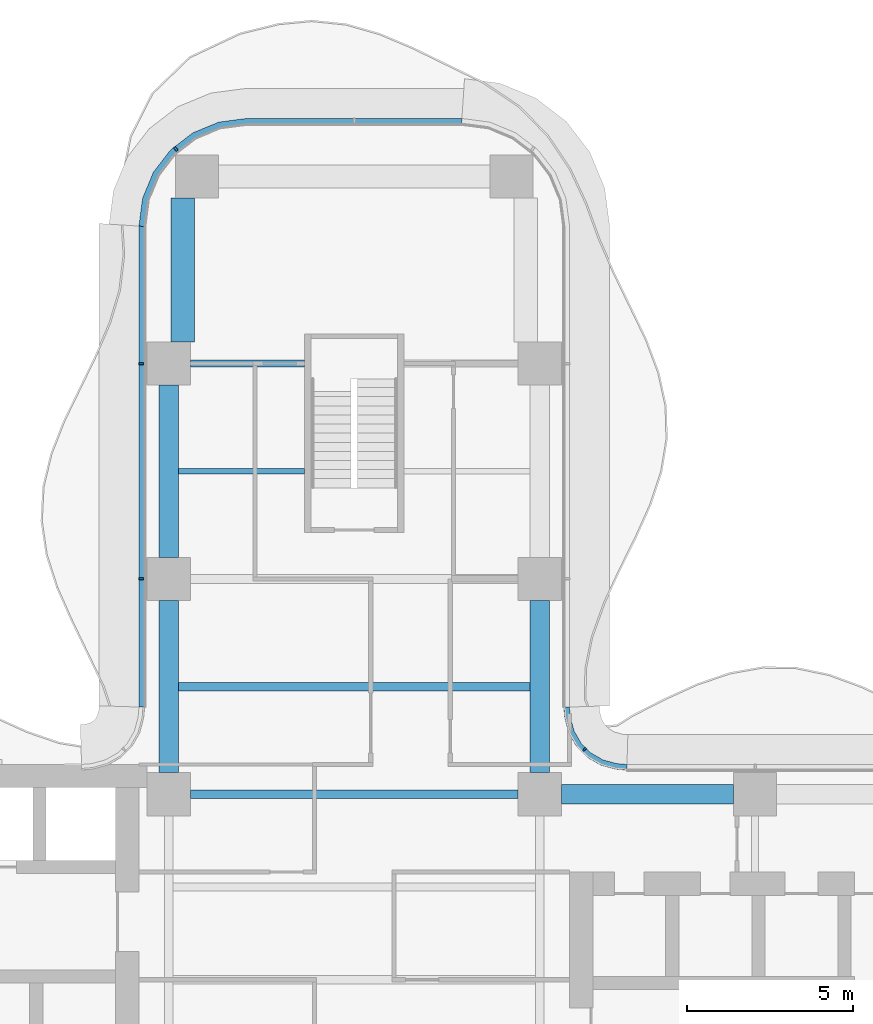
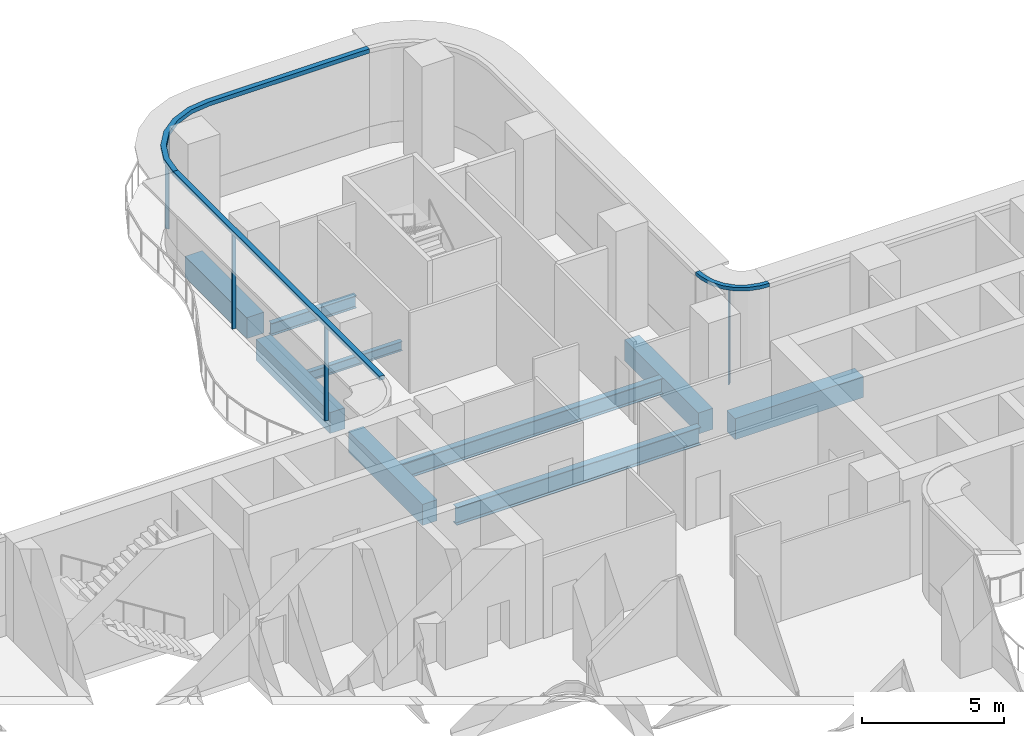
# One storey, part 9 of 21: 9 beams, 7 members, 3 elements without a shape of their own.
"""IFC4 building model written with IfcOpenShell, lengths in metres."""

from ifc_helpers import new_model, si_unit, direction, frame, origin, origin_2d, place, context, subcontext, project, spatial, polyline, rectangle, i_section, outline, extrude, source, transform, mapped, material, layer, layer_set, material_profile, profile_set, type_object, element, aggregate, save


model = new_model("IFC4")

# Units and contexts
model_context = context("Model", 3, precision=1e-05, world=origin(), true_north=direction((0.0, 1.0)))
body_context = subcontext(model_context, "Body", "Model", "MODEL_VIEW")
ifc_project = project(units=[si_unit("LENGTHUNIT", "METRE"), si_unit("AREAUNIT", "SQUARE_METRE"), si_unit("VOLUMEUNIT", "CUBIC_METRE"), si_unit("PLANEANGLEUNIT", "RADIAN"), si_unit("MASSUNIT", "GRAM", prefix="KILO")], contexts=[model_context])

# Site, building, storey
site_placement = place(None, origin())
site = spatial("IfcSite", under=ifc_project, at=site_placement, CompositionType="ELEMENT")
building_placement = place(site_placement, origin())
building = spatial("IfcBuilding", under=site, at=building_placement, Name="Trellis Farm Tower", CompositionType="ELEMENT")
storey_placement = place(building_placement, frame((0.0, 0.0, 102.0)))
storey = spatial("IfcBuildingStorey", under=building, at=storey_placement, Name="L21", CompositionType="ELEMENT", Elevation=102.0)

# Beams
ifc_material_1 = material(Name="Steel S355", Category="steel")
ifc_material_profile_1 = material_profile(ifc_material_1, i_section(OverallWidth=0.177978515625, OverallDepth=0.406494140625, WebThickness=0.0078125, FlangeThickness=0.0126953125, FilletRadius=0.01025390625, at=origin_2d()), Name="UB 406x178x60")
ifc_profile_set_1 = profile_set([ifc_material_profile_1], Name="Steel S355")
beam_type_1 = type_object("IfcBeamType", Name="UB 406x178x60 joist", PredefinedType="JOIST", material=ifc_profile_set_1)
shared_shape_1 = source(origin(), body_context, "Body", "SweptSolid", [
    extrude(i_section(OverallWidth=0.177978515625, OverallDepth=0.406494140625, WebThickness=0.0078125, FlangeThickness=0.0126953125, FilletRadius=0.01025390625, at=origin_2d()), origin(), (0.0, 0.0, 1.0), 3.800048828125),
])
beam_1_placement = place(storey_placement, frame((-5.300048828125, 15.35009765625, -0.453125), z_axis=(1.0, 0.0, 0.0), x_axis=(0.0, 1.0, 0.0)))
element("IfcBeam", 1, at=beam_1_placement, inside=storey, type_object=beam_type_1, Name="Floor beam", PredefinedType="JOIST", context=body_context, shape_type="MappedRepresentation", body=[
    mapped(shared_shape_1, transform((0.0, 0.0, 0.0))),
])
ifc_material_profile_2 = material_profile(ifc_material_1, i_section(OverallWidth=0.253662109375, OverallDepth=0.68359375, WebThickness=0.012451171875, FlangeThickness=0.021728515625, FilletRadius=0.01513671875, at=origin_2d()), Name="UB 686x254x140")
ifc_profile_set_2 = profile_set([ifc_material_profile_2], Name="Steel S355")
beam_type_2 = type_object("IfcBeamType", Name="UB 686x254x140 joist", PredefinedType="JOIST", material=ifc_profile_set_2)
shared_shape_2 = source(origin(), body_context, "Body", "SweptSolid", [
    extrude(i_section(OverallWidth=0.253662109375, OverallDepth=0.68359375, WebThickness=0.012451171875, FlangeThickness=0.021728515625, FilletRadius=0.01513671875, at=origin_2d()), origin(), (0.0, 0.0, 1.0), 10.60009765625),
])
beam_2_placement = place(storey_placement, frame((-5.300048828125, 8.85009765625, -0.591796875), z_axis=(1.0, 0.0, 0.0), x_axis=(0.0, 1.0, 0.0)))
element("IfcBeam", 2, at=beam_2_placement, inside=storey, type_object=beam_type_2, Name="Floor beam", PredefinedType="JOIST", context=body_context, shape_type="MappedRepresentation", body=[
    mapped(shared_shape_2, transform((0.0, 0.0, 0.0))),
])
ifc_material_profile_3 = material_profile(ifc_material_1, i_section(OverallWidth=0.209228515625, OverallDepth=0.533203125, WebThickness=0.010009765625, FlangeThickness=0.015625, FilletRadius=0.0126953125, at=origin_2d()), Name="UB 533x210x92")
ifc_profile_set_3 = profile_set([ifc_material_profile_3], Name="Steel S355")
beam_type_3 = type_object("IfcBeamType", Name="UB 533x210x92", PredefinedType="BEAM", material=ifc_profile_set_3)
shared_shape_3 = source(origin(), body_context, "Body", "SweptSolid", [
    extrude(i_section(OverallWidth=0.209228515625, OverallDepth=0.533203125, WebThickness=0.010009765625, FlangeThickness=0.015625, FilletRadius=0.0126953125, at=origin_2d()), origin(), (0.0, 0.0, 1.0), 3.449951171875),
])
beam_3_placement = place(storey_placement, frame((-4.949951171875, 18.60009765625, -0.5166015625), z_axis=(1.0, 0.0, 0.0), x_axis=(0.0, 1.0, 0.0)))
element("IfcBeam", 3, at=beam_3_placement, inside=storey, type_object=beam_type_3, Name="Girder", PredefinedType="BEAM", context=body_context, shape_type="MappedRepresentation", body=[
    mapped(shared_shape_3, transform((0.0, 0.0, 0.0))),
])
ifc_material_profile_4 = material_profile(ifc_material_1, i_section(OverallWidth=0.2666015625, OverallDepth=0.76220703125, WebThickness=0.014404296875, FlangeThickness=0.021484375, FilletRadius=0.0166015625, at=origin_2d()), Name="UB 762x267x173")
ifc_profile_set_4 = profile_set([ifc_material_profile_4], Name="Steel S355")
beam_type_4 = type_object("IfcBeamType", Name="UB 762x267x173", PredefinedType="BEAM", material=ifc_profile_set_4)
shared_shape_4 = source(origin(), body_context, "Body", "SweptSolid", [
    extrude(i_section(OverallWidth=0.2666015625, OverallDepth=0.76220703125, WebThickness=0.014404296875, FlangeThickness=0.021484375, FilletRadius=0.0166015625, at=origin_2d()), origin(), (0.0, 0.0, 1.0), 9.89990234375),
])
beam_4_placement = place(storey_placement, frame((-4.949951171875, 5.60009765625, -0.631103515625), z_axis=(1.0, 0.0, 0.0), x_axis=(0.0, 1.0, 0.0)))
element("IfcBeam", 4, at=beam_4_placement, inside=storey, type_object=beam_type_4, Name="Girder", PredefinedType="BEAM", context=body_context, shape_type="MappedRepresentation", body=[
    mapped(shared_shape_4, transform((0.0, 0.0, 0.0))),
])
ifc_material_2 = material(Name="Concrete C60/75", Category="concrete")
ifc_material_profile_5 = material_profile(ifc_material_2, rectangle(XDim=0.60009765625, YDim=0.89990234375, at=origin_2d()), Name="RC spandrel beam 600x900 C60/75")
ifc_profile_set_5 = profile_set([ifc_material_profile_5], Name="Concrete C60/75")
beam_type_5 = type_object("IfcBeamType", Name="RC spandrel beam 600x900 C60/75", PredefinedType="SPANDREL", material=ifc_profile_set_5)
shared_shape_5 = source(origin(), body_context, "Body", "SweptSolid", [
    extrude(rectangle(XDim=0.60009765625, YDim=0.89990234375, at=origin_2d()), origin(), (0.0, 0.0, 1.0), 5.199951171875),
])
for number, where, z_axis, x_axis, name in (
    (5, (6.25, 5.60009765625, -0.699951171875), (1.0, 0.0, 0.0), (0.0, 1.0, 0.0), "Girder"),
    (6, (-5.60009765625, 6.25, -0.699951171875), (0.0, 1.0, 0.0), (-1.0, 0.0, 0.0), "Girder"),
    (7, (-5.60009765625, 12.75, -0.699951171875), (0.0, 1.0, 0.0), (-1.0, 0.0, 0.0), "Girder"),
    (8, (5.60009765625, 6.25, -0.699951171875), (0.0, 1.0, 0.0), (-1.0, 0.0, 0.0), "Girder"),
):
    element("IfcBeam", number, at=place(storey_placement, frame(where, z_axis=z_axis, x_axis=x_axis)), inside=storey, type_object=beam_type_5, Name=name, PredefinedType="SPANDREL", context=body_context, shape_type="MappedRepresentation", body=[
        mapped(shared_shape_5, transform((0.0, 0.0, 0.0))),
    ])
ifc_material_profile_6 = material_profile(ifc_material_2, rectangle(XDim=0.699951171875, YDim=0.89990234375, at=origin_2d()), Name="RC spandrel beam 700x900 C60/75")
ifc_profile_set_6 = profile_set([ifc_material_profile_6], Name="Concrete C60/75")
beam_type_6 = type_object("IfcBeamType", Name="RC spandrel beam 700x900 C60/75", PredefinedType="SPANDREL", material=ifc_profile_set_6)
shared_shape_6 = source(origin(), body_context, "Body", "SweptSolid", [
    extrude(rectangle(XDim=0.699951171875, YDim=0.89990234375, at=origin_2d()), origin(), (0.0, 0.0, 1.0), 4.35009765625),
])
beam_5_placement = place(storey_placement, frame((-5.175048828125, 19.25, -0.699951171875), z_axis=(0.0, 1.0, 0.0), x_axis=(-1.0, 0.0, 0.0)))
element("IfcBeam", 9, at=beam_5_placement, inside=storey, type_object=beam_type_6, Name="Girder", PredefinedType="SPANDREL", context=body_context, shape_type="MappedRepresentation", body=[
    mapped(shared_shape_6, transform((0.0, 0.0, 0.0))),
])

# Curtain wall, member
ifc_material_3 = material(Name="Aluminium and glass curtain wall", Category="aluminium")
ifc_layer_1 = layer(ifc_material_3, 0.18994140625)
ifc_layer_set_1 = layer_set([ifc_layer_1], Name="RIBBON CURTAIN WALL CW1")
curtain_wall_type_1 = type_object("IfcCurtainWallType", Name="RIBBON CURTAIN WALL CW1", PredefinedType="NOTDEFINED", material=ifc_layer_set_1)
placement_1 = place(storey_placement, origin())
curtain_wall_1 = element("IfcCurtainWall", 10, at=placement_1, inside=storey, type_object=curtain_wall_type_1, Name="CW1 010", PredefinedType="NOTDEFINED")
ifc_material_4 = material(Name="Aluminium extrusion 6063-T6", Category="aluminium")
ifc_material_profile_7 = material_profile(ifc_material_4, rectangle(XDim=0.06005859375, YDim=0.14990234375, at=origin_2d()), Name="MULLION 60x150")
ifc_profile_set_7 = profile_set([ifc_material_profile_7], Name="Aluminium extrusion 6063-T6")
member_type_1 = type_object("IfcMemberType", Name="CW1 MULLION 60x150", PredefinedType="MULLION", material=ifc_profile_set_7)
shared_shape_7 = source(origin(), body_context, "Body", "SweptSolid", [
    extrude(rectangle(XDim=0.06005859375, YDim=0.14990234375, at=origin_2d()), origin(), (0.0, 0.0, 1.0), 4.070068359375),
])
member_1_placement = place(storey_placement, frame((-5.385498046875, 25.078369140625, 0.0), z_axis=(0.0, 0.0, 1.0), x_axis=(-0.793353340291, -0.608761429009, 0.0)))
member_1 = element("IfcMember", 11, at=member_1_placement, type_object=member_type_1, Name="MU1 010-02", PredefinedType="MULLION", context=body_context, shape_type="MappedRepresentation", body=[
    mapped(shared_shape_7, transform((0.0, 0.0, 0.0))),
])

# Curtain wall, members
curtain_wall_2 = element("IfcCurtainWall", 12, at=placement_1, inside=storey, type_object=curtain_wall_type_1, Name="CW1 011", PredefinedType="NOTDEFINED")
member_2_placement = place(storey_placement, frame((-6.425048828125, 18.60009765625, 0.0), z_axis=(0.0, 0.0, 1.0), x_axis=(0.0, -1.0, 0.0)))
member_2 = element("IfcMember", 13, at=member_2_placement, type_object=member_type_1, Name="MU1 011-01", PredefinedType="MULLION", context=body_context, shape_type="MappedRepresentation", body=[
    mapped(shared_shape_7, transform((0.0, 0.0, 0.0))),
])
member_3_placement = place(storey_placement, frame((-6.425048828125, 12.10009765625, 0.0), z_axis=(0.0, 0.0, 1.0), x_axis=(0.0, -1.0, 0.0)))
member_3 = element("IfcMember", 14, at=member_3_placement, type_object=member_type_1, Name="MU1 011-02", PredefinedType="MULLION", context=body_context, shape_type="MappedRepresentation", body=[
    mapped(shared_shape_7, transform((0.0, 0.0, 0.0))),
])

ifc_layer_2 = layer(ifc_material_3, 0.166015625)
ifc_layer_set_2 = layer_set([ifc_layer_2], Name="WINTER GARDEN CURTAIN WALL CW3")
curtain_wall_type_2 = type_object("IfcCurtainWallType", Name="WINTER GARDEN CURTAIN WALL CW3", PredefinedType="NOTDEFINED", material=ifc_layer_set_2)
curtain_wall_3 = element("IfcCurtainWall", 15, at=placement_1, inside=storey, type_object=curtain_wall_type_2, Name="CW3 003", PredefinedType="NOTDEFINED")
ifc_material_profile_8 = material_profile(ifc_material_4, rectangle(XDim=0.050048828125, YDim=0.1201171875, at=origin_2d()), Name="MULLION 50x120")
ifc_profile_set_8 = profile_set([ifc_material_profile_8], Name="Aluminium extrusion 6063-T6")
member_type_2 = type_object("IfcMemberType", Name="CW3 MULLION 50x120", PredefinedType="MULLION", material=ifc_profile_set_8)
shared_shape_8 = source(origin(), body_context, "Body", "SweptSolid", [
    extrude(rectangle(XDim=0.050048828125, YDim=0.1201171875, at=origin_2d()), origin(), (0.0, 0.0, 1.0), 4.10009765625),
])
member_4_placement = place(storey_placement, frame((6.953125, 6.953125, 0.0), z_axis=(0.0, 0.0, 1.0), x_axis=(-0.707106781187, 0.707106781187, 0.0)))
member_4 = element("IfcMember", 16, at=member_4_placement, type_object=member_type_2, Name="MU3 003-01", PredefinedType="MULLION", context=body_context, shape_type="MappedRepresentation", body=[
    mapped(shared_shape_8, transform((0.0, 0.0, 0.0))),
])
ifc_layer_3 = layer(ifc_material_4, 0.169921875)
ifc_layer_set_3 = layer_set([ifc_layer_3], Name="Aluminium extrusion 6063-T6")
member_type_3 = type_object("IfcMemberType", Name="CW3 TRANSOM 170x150", PredefinedType="USERDEFINED", material=ifc_layer_set_3)
shared_shape_9 = source(origin(), body_context, "Body", "SweptSolid", [
    extrude(outline(polyline([(8.2314453125, 6.5), (8.01953125, 6.513916015625), (7.91552734375, 6.527587890625), (7.508544921875, 6.63671875), (7.144287109375, 6.846923828125), (6.846923828125, 7.144287109375), (6.63671875, 7.508544921875), (6.527587890625, 7.91552734375), (6.513916015625, 8.01953125), (6.5, 8.2314453125), (6.330078125, 8.225830078125), (6.3447265625, 8.0029296875), (6.360595703125, 7.88232421875), (6.478271484375, 7.44287109375), (6.7109375, 7.0400390625), (7.0400390625, 6.7109375), (7.44287109375, 6.478271484375), (7.88232421875, 6.360595703125), (8.0029296875, 6.3447265625), (8.225830078125, 6.330078125), (8.2314453125, 6.5)])), origin(), (0.0, 0.0, 1.0), 0.14990234375),
])
member_5_placement = place(storey_placement, frame((0.0, 0.0, 4.10009765625)))
member_5 = element("IfcMember", 17, at=member_5_placement, type_object=member_type_3, Name="TR3 003", ObjectType="TRANSOM", PredefinedType="USERDEFINED", context=body_context, shape_type="MappedRepresentation", body=[
    mapped(shared_shape_9, transform((0.0, 0.0, 0.0))),
])
aggregate(curtain_wall_3, [member_4, member_5])

# Member
ifc_layer_4 = layer(ifc_material_4, 0.199951171875)
ifc_layer_set_4 = layer_set([ifc_layer_4], Name="Aluminium extrusion 6063-T6")
member_type_4 = type_object("IfcMemberType", Name="CW1 TRANSOM 200x180", PredefinedType="USERDEFINED", material=ifc_layer_set_4)
shared_shape_10 = source(origin(), body_context, "Body", "SweptSolid", [
    extrude(outline(polyline([(-6.5, 22.75), (-6.5, 8.2314453125), (-6.300048828125, 8.224853515625), (-6.300048828125, 22.73681640625), (-6.5, 22.75)])), origin(), (0.0, 0.0, 1.0), 0.179931640625),
])
placement_2 = place(storey_placement, frame((0.0, 0.0, 4.070068359375)))
member_6 = element("IfcMember", 18, at=placement_2, type_object=member_type_4, Name="TR1 011", ObjectType="TRANSOM", PredefinedType="USERDEFINED", context=body_context, shape_type="MappedRepresentation", body=[
    mapped(shared_shape_10, transform((0.0, 0.0, 0.0))),
])

aggregate(curtain_wall_2, [member_2, member_3, member_6])

shared_shape_11 = source(origin(), body_context, "Body", "SweptSolid", [
    extrude(outline(polyline([(3.25, 26.0), (-3.25, 26.0), (-4.091064453125, 25.88916015625), (-4.875, 25.564697265625), (-5.548095703125, 25.048095703125), (-6.064697265625, 24.375), (-6.38916015625, 23.591064453125), (-6.5, 22.75), (-6.300048828125, 22.73681640625), (-6.1943359375, 23.5390625), (-5.889892578125, 24.274169921875), (-5.405517578125, 24.905517578125), (-4.774169921875, 25.389892578125), (-4.0390625, 25.6943359375), (-3.23681640625, 25.800048828125), (3.23681640625, 25.800048828125), (3.25, 26.0)])), origin(), (0.0, 0.0, 1.0), 0.179931640625),
])
member_7 = element("IfcMember", 19, at=placement_2, type_object=member_type_4, Name="TR1 010", ObjectType="TRANSOM", PredefinedType="USERDEFINED", context=body_context, shape_type="MappedRepresentation", body=[
    mapped(shared_shape_11, transform((0.0, 0.0, 0.0))),
])

aggregate(curtain_wall_1, [member_1, member_7])

save(model, "model.ifc")
